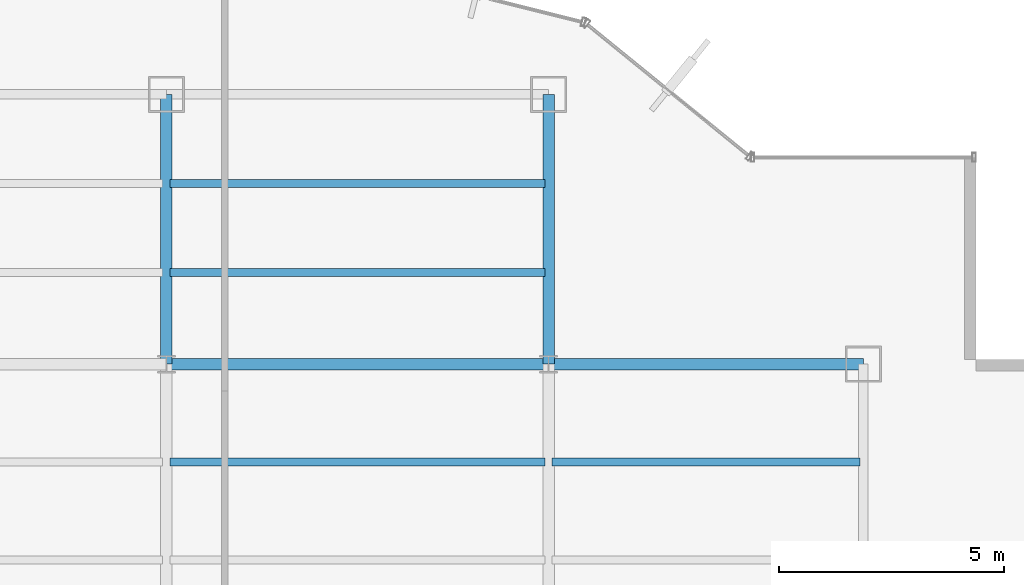
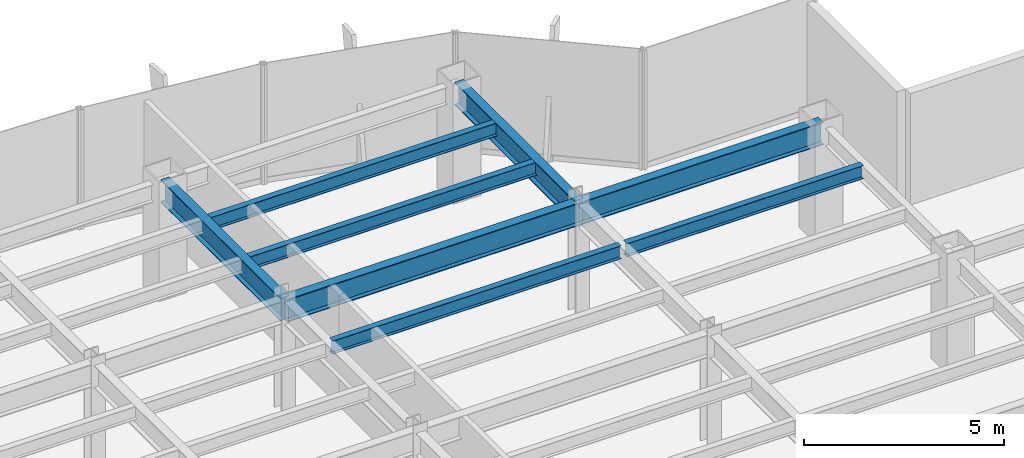
# One storey, part 16 of 25: 8 beams.
"""IFC4 building model written with IfcOpenShell, lengths in metres."""

from ifc_helpers import new_model, si_unit, derived_unit, direction, frame, origin, origin_2d, place, context, subcontext, project, spatial, i_section, extrude, source, transform, mapped, material, material_profile, profile_set, type_object, element, save


model = new_model("IFC4")

# Units and contexts
model_context = context("Model", 3, precision=1e-05, world=origin(), true_north=direction((0.0, 1.0)))
body_context = subcontext(model_context, "Body", "Model", "MODEL_VIEW")
ifc_project = project(units=[si_unit("LENGTHUNIT", "METRE"), si_unit("AREAUNIT", "SQUARE_METRE"), si_unit("VOLUMEUNIT", "CUBIC_METRE"), si_unit("PLANEANGLEUNIT", "RADIAN"), si_unit("MASSUNIT", "GRAM", prefix="KILO"), derived_unit("THERMALTRANSMITTANCEUNIT", [(si_unit("POWERUNIT", "WATT"), 1), (si_unit("LENGTHUNIT", "METRE"), -2), (si_unit("THERMODYNAMICTEMPERATUREUNIT", "KELVIN"), -1)])], contexts=[model_context])

# Site, building, storey
site_placement = place(None, origin())
site = spatial("IfcSite", under=ifc_project, at=site_placement, CompositionType="ELEMENT")
building_placement = place(site_placement, origin())
building = spatial("IfcBuilding", under=site, at=building_placement, Name="Skarnbrae Concourse Arena and Tower", CompositionType="ELEMENT")
storey_placement = place(building_placement, frame((0.0, 0.0, 88.64990234375)))
storey = spatial("IfcBuildingStorey", under=building, at=storey_placement, Name="L21", CompositionType="ELEMENT", Elevation=88.64990234375)

# Beams
ifc_material = material(Name="Steel CSA G40.21 350W", Category="steel")
ifc_material_profile_1 = material_profile(ifc_material, i_section(OverallWidth=0.256103515625, OverallDepth=0.693115234375, WebThickness=0.014404296875, FlangeThickness=0.023681640625, at=origin_2d()), Name="W690X170")
ifc_profile_set_1 = profile_set([ifc_material_profile_1], Name="Steel CSA G40.21 350W")
beam_type_1 = type_object("IfcBeamType", Name="BM-GIRD-W690X170", PredefinedType="BEAM", material=ifc_profile_set_1)
shared_shape_1 = source(origin(), body_context, "Body", "SweptSolid", [
    extrude(i_section(OverallWidth=0.256103515625, OverallDepth=0.693115234375, WebThickness=0.014404296875, FlangeThickness=0.023681640625, at=origin_2d()), origin(), (0.0, 0.0, 1.0), 7.0),
])
beam_1_placement = place(storey_placement, frame((42.0, 34.39990234375, 3.0537109375), z_axis=(1.0, 0.0, 0.0), x_axis=(0.0, 1.0, 0.0)))
element("IfcBeam", 1, at=beam_1_placement, inside=storey, type_object=beam_type_1, Name="L21 Primary E-W girder Y34.4-6", PredefinedType="BEAM", context=body_context, shape_type="MappedRepresentation", body=[
    mapped(shared_shape_1, transform((0.0, 0.0, 0.0))),
])
shared_shape_2 = source(origin(), body_context, "Body", "SweptSolid", [
    extrude(i_section(OverallWidth=0.256103515625, OverallDepth=0.693115234375, WebThickness=0.014404296875, FlangeThickness=0.023681640625, at=origin_2d()), origin(), (0.0, 0.0, 1.0), 8.5),
])
beam_2_placement = place(storey_placement, frame((33.5, 34.39990234375, 3.0537109375), z_axis=(1.0, 0.0, 0.0), x_axis=(0.0, 1.0, 0.0)))
element("IfcBeam", 2, at=beam_2_placement, inside=storey, type_object=beam_type_1, Name="L21 Primary E-W girder Y34.4-5", PredefinedType="BEAM", context=body_context, shape_type="MappedRepresentation", body=[
    mapped(shared_shape_2, transform((0.0, 0.0, 0.0))),
])
shared_shape_3 = source(origin(), body_context, "Body", "SweptSolid", [
    extrude(i_section(OverallWidth=0.256103515625, OverallDepth=0.693115234375, WebThickness=0.014404296875, FlangeThickness=0.023681640625, at=origin_2d()), origin(), (0.0, 0.0, 1.0), 6.0),
])
for number, where, z_axis, x_axis, name in (
    (3, (33.5, 34.39990234375, 3.0537109375), (0.0, 1.0, 0.0), (-1.0, 0.0, 0.0), "L21 Primary N-S girder X33.5-4"),
    (4, (42.0, 34.39990234375, 3.0537109375), (0.0, 1.0, 0.0), (-1.0, 0.0, 0.0), "L21 Primary N-S girder X42.0-5"),
):
    element("IfcBeam", number, at=place(storey_placement, frame(where, z_axis=z_axis, x_axis=x_axis)), inside=storey, type_object=beam_type_1, Name=name, PredefinedType="BEAM", context=body_context, shape_type="MappedRepresentation", body=[
        mapped(shared_shape_3, transform((0.0, 0.0, 0.0))),
    ])
ifc_material_profile_2 = material_profile(ifc_material, i_section(OverallWidth=0.177978515625, OverallDepth=0.406982421875, WebThickness=0.0078125, FlangeThickness=0.0126953125, at=origin_2d()), Name="W410X60")
ifc_profile_set_2 = profile_set([ifc_material_profile_2], Name="Steel CSA G40.21 350W")
beam_type_2 = type_object("IfcBeamType", Name="BM-JOIST-W410X60", PredefinedType="JOIST", material=ifc_profile_set_2)
shared_shape_4 = source(origin(), body_context, "Body", "SweptSolid", [
    extrude(i_section(OverallWidth=0.177978515625, OverallDepth=0.406982421875, WebThickness=0.0078125, FlangeThickness=0.0126953125, at=origin_2d()), origin(), (0.0, 0.0, 1.0), 8.33984375),
])
for number, where, z_axis, x_axis, name in (
    (5, (33.580078125, 32.221923828125, 3.196533203125), (1.0, 0.0, 0.0), (0.0, 1.0, 0.0), "L21 Secondary floor joist 3.2.5"),
    (6, (33.580078125, 36.43994140625, 3.196533203125), (1.0, 0.0, 0.0), (0.0, 1.0, 0.0), "L21 Secondary floor joist 4.1.4"),
    (7, (33.580078125, 38.419921875, 3.196533203125), (1.0, 0.0, 0.0), (0.0, 1.0, 0.0), "L21 Secondary floor joist 4.2.4"),
):
    element("IfcBeam", number, at=place(storey_placement, frame(where, z_axis=z_axis, x_axis=x_axis)), inside=storey, type_object=beam_type_2, Name=name, PredefinedType="JOIST", context=body_context, shape_type="MappedRepresentation", body=[
        mapped(shared_shape_4, transform((0.0, 0.0, 0.0))),
    ])
shared_shape_5 = source(origin(), body_context, "Body", "SweptSolid", [
    extrude(i_section(OverallWidth=0.177978515625, OverallDepth=0.406982421875, WebThickness=0.0078125, FlangeThickness=0.0126953125, at=origin_2d()), origin(), (0.0, 0.0, 1.0), 6.83984375),
])
beam_3_placement = place(storey_placement, frame((42.080078125, 32.221923828125, 3.196533203125), z_axis=(1.0, 0.0, 0.0), x_axis=(0.0, 1.0, 0.0)))
element("IfcBeam", 8, at=beam_3_placement, inside=storey, type_object=beam_type_2, Name="L21 Secondary floor joist 3.2.6", PredefinedType="JOIST", context=body_context, shape_type="MappedRepresentation", body=[
    mapped(shared_shape_5, transform((0.0, 0.0, 0.0))),
])

save(model, "model.ifc")
